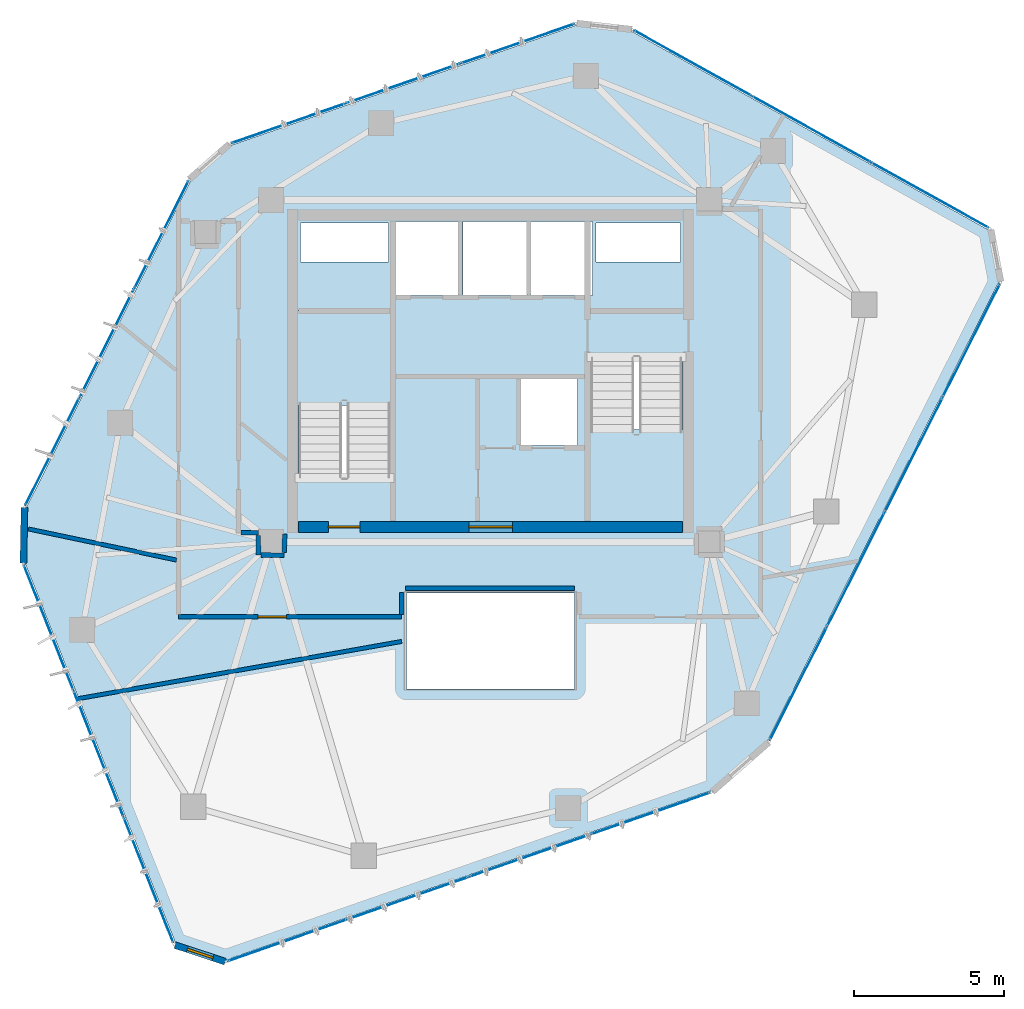
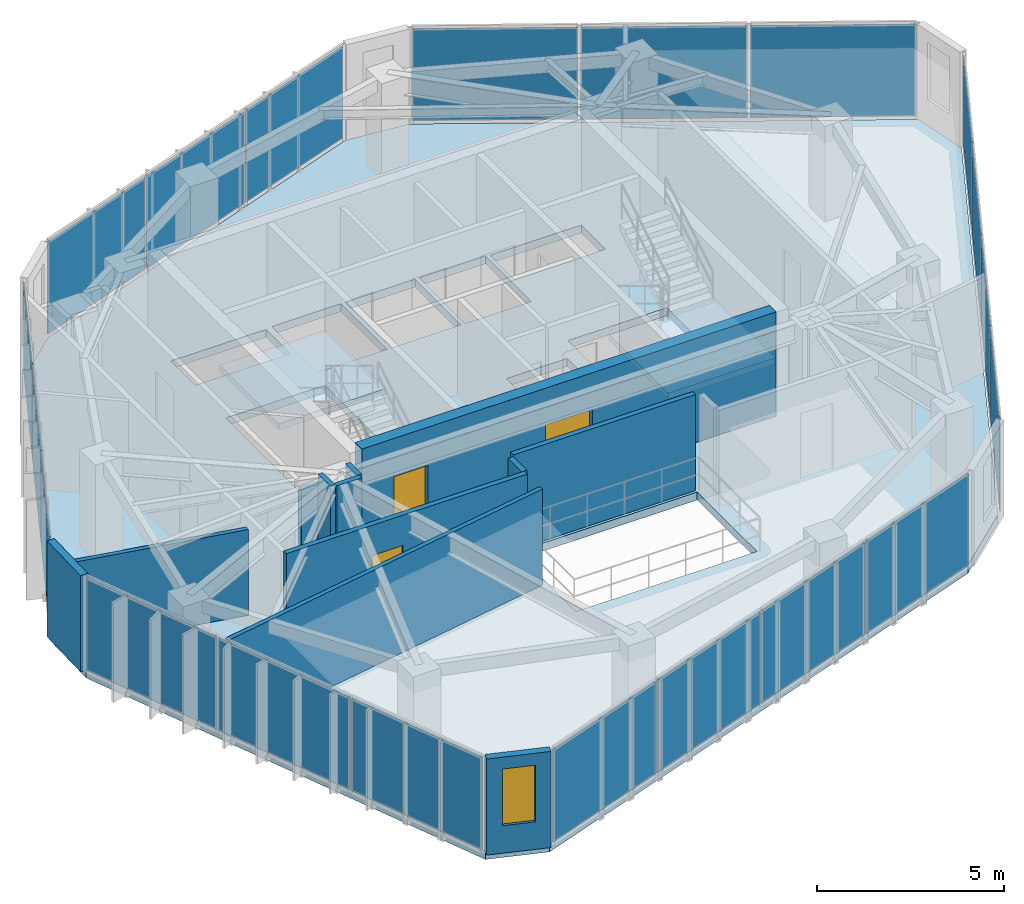
# One storey, part 16 of 20: 20 plates, 12 walls, 3 doors, 3 slabs, 1 window, 4 openings, 8 elements without a shape of their own.
"""IFC4 building model written with IfcOpenShell, lengths in metres."""

from ifc_helpers import new_model, si_unit, direction, frame, frame_2d, origin, origin_2d, place, context, subcontext, project, spatial, polyline, rectangle, outline, extrude, source, transform, mapped, material, layer, layer_set, type_object, type_shapes, element, fill, aggregate, save


model = new_model("IFC4")

# Units and contexts
model_context = context("Model", 3, precision=1e-05, world=origin(), true_north=direction((0.0, 1.0)))
body_context = subcontext(model_context, "Body", "Model", "MODEL_VIEW")
ifc_project = project(units=[si_unit("LENGTHUNIT", "METRE"), si_unit("AREAUNIT", "SQUARE_METRE"), si_unit("VOLUMEUNIT", "CUBIC_METRE"), si_unit("PLANEANGLEUNIT", "RADIAN"), si_unit("MASSUNIT", "GRAM", prefix="KILO")], contexts=[model_context])

# Site, building, storey
site_placement = place(None, origin())
site = spatial("IfcSite", under=ifc_project, at=site_placement, CompositionType="ELEMENT")
building_placement = place(site_placement, origin())
building = spatial("IfcBuilding", under=site, at=building_placement, Name="Talar Marvaseh", CompositionType="ELEMENT")
storey_placement = place(building_placement, frame((0.0, 0.0, 285.0)))
storey = spatial("IfcBuildingStorey", under=building, at=storey_placement, Name="L76", CompositionType="ELEMENT", Elevation=285.0)

# Stair, slab
ifc_material_1 = material(Name="Concrete C40/50", Category="concrete")
stair_type = type_object("IfcStairType", Name="Reinforced Concrete High-Rise Exit Stair Type C", PredefinedType="HALF_TURN_STAIR", material=ifc_material_1)
stair_1_placement = place(storey_placement, origin())
stair_1 = element("IfcStair", 1, at=stair_1_placement, inside=storey, type_object=stair_type, Name="L76 Tower West Core Exit Stair", PredefinedType="HALF_TURN_STAIR")
ifc_layer_1 = layer(ifc_material_1, 0.199951171875)
ifc_layer_set_1 = layer_set([ifc_layer_1], Name="Concrete C40/50")
slab_type_1 = type_object("IfcSlabType", Name="Reinforced Concrete Stair Half-Landing Slab 200", PredefinedType="LANDING", material=ifc_layer_set_1)
slab_1_placement = place(storey_placement, frame((0.0, 0.0, 1.5)))
slab_1 = element("IfcSlab", 2, at=slab_1_placement, type_object=slab_type_1, Name="ST-1 landing 1", PredefinedType="LANDING", context=body_context, shape_type="SweptSolid", body=[
    extrude(outline(polyline([(22.780029296875, 30.050048828125), (22.780029296875, 33.219970703125), (19.47998046875, 33.219970703125), (19.47998046875, 30.050048828125), (22.780029296875, 30.050048828125)])), origin(), (0.0, 0.0, 1.0), 0.199951171875),
])
aggregate(stair_1, [slab_1])

stair_2_placement = place(storey_placement, origin())
stair_2 = element("IfcStair", 3, at=stair_2_placement, inside=storey, type_object=stair_type, Name="L76 Tower East Core Exit Stair", PredefinedType="HALF_TURN_STAIR")
slab_2_placement = place(storey_placement, frame((0.0, 0.0, 1.5)))
slab_2 = element("IfcSlab", 4, at=slab_2_placement, type_object=slab_type_1, Name="ST-2 landing 1", PredefinedType="LANDING", context=body_context, shape_type="SweptSolid", body=[
    extrude(outline(polyline([(29.219970703125, 29.25), (29.219970703125, 26.080078125), (32.52001953125, 26.080078125), (32.52001953125, 29.25), (29.219970703125, 29.25)])), origin(), (0.0, 0.0, 1.0), 0.199951171875),
])
aggregate(stair_2, [slab_2])

# Slab
ifc_layer_2 = layer(ifc_material_1, 0.260009765625)
ifc_layer_set_2 = layer_set([ifc_layer_2], Name="Concrete C40/50")
slab_type_2 = type_object("IfcSlabType", Name="Structural Suspended Floor Slab 260", PredefinedType="FLOOR", material=ifc_layer_set_2)
slab_3_placement = place(storey_placement, frame((0.0, 0.0, -0.260009765625)))
element("IfcSlab", 5, at=slab_3_placement, inside=storey, type_object=slab_type_2, Name="L76 Tower Floor Slab", PredefinedType="FLOOR", context=body_context, shape_type="SweptSolid", body=[
    extrude(outline(polyline([(17.1728515625, 11.556396484375), (15.504150390625, 12.109130859375), (10.485595703125, 24.786865234375), (10.522216796875, 26.642822265625), (16.0029296875, 37.549072265625), (17.341796875, 38.72314453125), (28.8701171875, 42.733642578125), (30.715087890625, 42.527587890625), (42.629150390625, 35.897216796875), (42.959228515625, 34.17041015625), (35.239990234375, 18.861572265625), (33.3583984375, 17.211669921875), (17.1728515625, 11.556396484375)]), holes=[polyline([(22.659912109375, 27.64990234375), (22.659912109375, 33.10009765625), (19.60009765625, 33.10009765625), (19.60009765625, 27.64990234375), (22.659912109375, 27.64990234375)]), polyline([(29.340087890625, 31.64990234375), (29.340087890625, 26.199951171875), (32.39990234375, 26.199951171875), (32.39990234375, 31.64990234375), (29.340087890625, 31.64990234375)]), polyline([(22.800048828125, 33.719970703125), (24.93994140625, 33.719970703125), (24.93994140625, 36.179931640625), (22.800048828125, 36.179931640625), (22.800048828125, 33.719970703125)]), polyline([(25.080078125, 33.719970703125), (27.219970703125, 33.719970703125), (27.219970703125, 36.179931640625), (25.080078125, 36.179931640625), (25.080078125, 33.719970703125)]), polyline([(27.360107421875, 33.719970703125), (29.39990234375, 33.719970703125), (29.39990234375, 36.179931640625), (27.360107421875, 36.179931640625), (27.360107421875, 33.719970703125)]), polyline([(27.02001953125, 28.719970703125), (28.89990234375, 28.719970703125), (28.89990234375, 30.93994140625), (27.02001953125, 30.93994140625), (27.02001953125, 28.719970703125)]), polyline([(19.659912109375, 34.840087890625), (22.60009765625, 34.840087890625), (22.60009765625, 36.139892578125), (19.659912109375, 36.139892578125), (19.659912109375, 34.840087890625)]), polyline([(29.52001953125, 34.840087890625), (32.340087890625, 34.840087890625), (32.340087890625, 36.139892578125), (29.52001953125, 36.139892578125), (29.52001953125, 34.840087890625)]), polyline([(23.199951171875, 20.60009765625), (28.800048828125, 20.60009765625), (28.800048828125, 23.800048828125), (23.199951171875, 23.800048828125), (23.199951171875, 20.60009765625)])]), origin(), (0.0, 0.0, 1.0), 0.260009765625),
])

# Curtain wall, plates
ifc_material_2 = material(Name="Architectural Aluminium", Category="aluminium")
ifc_layer_3 = layer(ifc_material_2, 0.179931640625)
ifc_layer_set_3 = layer_set([ifc_layer_3], Name="Architectural Aluminium")
curtain_wall_type = type_object("IfcCurtainWallType", Name="Unitised High-Wind Sky Curtain Wall Z4", PredefinedType="NOTDEFINED", material=ifc_layer_set_3)
curtain_wall_1_placement = place(storey_placement, origin())
curtain_wall_1 = element("IfcCurtainWall", 6, at=curtain_wall_1_placement, inside=storey, type_object=curtain_wall_type, Name="L76 Unitised High-Wind Sky Curtain Wall Z4", PredefinedType="NOTDEFINED")
ifc_material_3 = material(Name="Laminated Low-E Solar Glass", Category="glass")
ifc_layer_4 = layer(ifc_material_3, 0.028076171875)
ifc_layer_set_4 = layer_set([ifc_layer_4], Name="Laminated Low-E Solar Glass")
plate_type = type_object("IfcPlateType", Name="Double-Glazed Low-E Vision Curtain Panel 28", PredefinedType="CURTAIN_PANEL", material=ifc_layer_set_4)
shared_shape_1 = source(origin(), body_context, "Body", "SweptSolid", [
    extrude(rectangle(XDim=4.447509765625, YDim=0.028076171875, at=origin_2d()), origin(), (0.0, 0.0, 1.0), 3.010009765625),
])
plate_1_placement = place(storey_placement, frame((14.60595703125, 14.215087890625, 0.06494140625), z_axis=(0.0, 0.0, 1.0), x_axis=(-0.368060075635, 0.929802011572, 0.0)))
plate_1 = element("IfcPlate", 7, at=plate_1_placement, type_object=plate_type, Name="CW-Z4 panel 1.1", PredefinedType="CURTAIN_PANEL", context=body_context, shape_type="MappedRepresentation", body=[
    mapped(shared_shape_1, transform((0.0, 0.0, 0.0), x_axis=(1.0, 0.0, 0.0), y_axis=(0.0, 1.0, 0.0), z_axis=(0.0, 0.0, 1.0), scale=1.0)),
])
plate_2_placement = place(storey_placement, frame((11.272216796875, 22.63671875, 0.06494140625), z_axis=(0.0, 0.0, 1.0), x_axis=(-0.368060075635, 0.929802011572, 0.0)))
plate_2 = element("IfcPlate", 8, at=plate_2_placement, type_object=plate_type, Name="CW-Z4 panel 3.1", PredefinedType="CURTAIN_PANEL", context=body_context, shape_type="MappedRepresentation", body=[
    mapped(shared_shape_1, transform((0.0, 0.0, 0.0), x_axis=(1.0, 0.0, 0.0), y_axis=(0.0, 1.0, 0.0), z_axis=(0.0, 0.0, 1.0), scale=1.0)),
])

curtain_wall_2_placement = place(storey_placement, origin())
curtain_wall_2 = element("IfcCurtainWall", 9, at=curtain_wall_2_placement, inside=storey, type_object=curtain_wall_type, Name="L76 Unitised High-Wind Sky Curtain Wall Z4", PredefinedType="NOTDEFINED")
plate_3_placement = place(storey_placement, frame((32.744140625, 41.467041015625, 0.06494140625), z_axis=(0.0, 0.0, 1.0), x_axis=(0.873803480843, -0.486279216981, 0.0)))
plate_3 = element("IfcPlate", 10, at=plate_3_placement, type_object=plate_type, Name="CW-Z4 panel 1.1", PredefinedType="CURTAIN_PANEL", context=body_context, shape_type="MappedRepresentation", body=[
    mapped(shared_shape_1, transform((0.0, 0.0, 0.0), x_axis=(1.0, 0.0, 0.0), y_axis=(0.0, 1.0, 0.0), z_axis=(0.0, 0.0, 1.0), scale=1.0)),
])
plate_4_placement = place(storey_placement, frame((40.658447265625, 37.0625, 0.06494140625), z_axis=(0.0, 0.0, 1.0), x_axis=(0.873803480843, -0.486279216981, 0.0)))
plate_4 = element("IfcPlate", 11, at=plate_4_placement, type_object=plate_type, Name="CW-Z4 panel 3.1", PredefinedType="CURTAIN_PANEL", context=body_context, shape_type="MappedRepresentation", body=[
    mapped(shared_shape_1, transform((0.0, 0.0, 0.0), x_axis=(1.0, 0.0, 0.0), y_axis=(0.0, 1.0, 0.0), z_axis=(0.0, 0.0, 1.0), scale=1.0)),
])

# Plate
shared_shape_2 = source(origin(), body_context, "Body", "SweptSolid", [
    extrude(rectangle(XDim=4.47998046875, YDim=0.028076171875, at=origin_2d()), origin(), (0.0, 0.0, 1.0), 3.010009765625),
])
plate_5_placement = place(storey_placement, frame((12.939208984375, 18.42578125, 0.06494140625), z_axis=(0.0, 0.0, 1.0), x_axis=(-0.368060075635, 0.929802011572, 0.0)))
plate_5 = element("IfcPlate", 12, at=plate_5_placement, type_object=plate_type, Name="CW-Z4 panel 2.1", PredefinedType="CURTAIN_PANEL", context=body_context, shape_type="MappedRepresentation", body=[
    mapped(shared_shape_2, transform((0.0, 0.0, 0.0), x_axis=(1.0, 0.0, 0.0), y_axis=(0.0, 1.0, 0.0), z_axis=(0.0, 0.0, 1.0), scale=1.0)),
])

aggregate(curtain_wall_1, [plate_1, plate_5, plate_2])

plate_6_placement = place(storey_placement, frame((36.701171875, 39.2646484375, 0.06494140625), z_axis=(0.0, 0.0, 1.0), x_axis=(0.873803480843, -0.486279216981, 0.0)))
plate_6 = element("IfcPlate", 13, at=plate_6_placement, type_object=plate_type, Name="CW-Z4 panel 2.1", PredefinedType="CURTAIN_PANEL", context=body_context, shape_type="MappedRepresentation", body=[
    mapped(shared_shape_2, transform((0.0, 0.0, 0.0), x_axis=(1.0, 0.0, 0.0), y_axis=(0.0, 1.0, 0.0), z_axis=(0.0, 0.0, 1.0), scale=1.0)),
])

aggregate(curtain_wall_2, [plate_3, plate_6, plate_4])

# Curtain wall, plates
curtain_wall_3_placement = place(storey_placement, origin())
curtain_wall_3 = element("IfcCurtainWall", 14, at=curtain_wall_3_placement, inside=storey, type_object=curtain_wall_type, Name="L76 Unitised High-Wind Sky Curtain Wall Z4", PredefinedType="NOTDEFINED")
shared_shape_3 = source(origin(), body_context, "Body", "SweptSolid", [
    extrude(rectangle(XDim=3.97119140625, YDim=0.028076171875, at=origin_2d()), origin(), (0.0, 0.0, 1.0), 3.010009765625),
])
plate_7_placement = place(storey_placement, frame((11.38916015625, 28.501953125, 0.06494140625), z_axis=(0.0, 0.0, 1.0), x_axis=(0.449034728226, 0.893514304781, 0.0)))
plate_7 = element("IfcPlate", 15, at=plate_7_placement, type_object=plate_type, Name="CW-Z4 panel 1.1", PredefinedType="CURTAIN_PANEL", context=body_context, shape_type="MappedRepresentation", body=[
    mapped(shared_shape_3, transform((0.0, 0.0, 0.0), x_axis=(1.0, 0.0, 0.0), y_axis=(0.0, 1.0, 0.0), z_axis=(0.0, 0.0, 1.0), scale=1.0)),
])
plate_8_placement = place(storey_placement, frame((15.028564453125, 35.743896484375, 0.06494140625), z_axis=(0.0, 0.0, 1.0), x_axis=(0.449034728226, 0.893514304781, 0.0)))
plate_8 = element("IfcPlate", 16, at=plate_8_placement, type_object=plate_type, Name="CW-Z4 panel 3.1", PredefinedType="CURTAIN_PANEL", context=body_context, shape_type="MappedRepresentation", body=[
    mapped(shared_shape_3, transform((0.0, 0.0, 0.0), x_axis=(1.0, 0.0, 0.0), y_axis=(0.0, 1.0, 0.0), z_axis=(0.0, 0.0, 1.0), scale=1.0)),
])

curtain_wall_4_placement = place(storey_placement, origin())
curtain_wall_4 = element("IfcCurtainWall", 17, at=curtain_wall_4_placement, inside=storey, type_object=curtain_wall_type, Name="L76 Unitised High-Wind Sky Curtain Wall Z4", PredefinedType="NOTDEFINED")
plate_9_placement = place(storey_placement, frame((19.2587890625, 39.45361328125, 0.06494140625), z_axis=(0.0, 0.0, 1.0), x_axis=(0.944480106126, 0.328568606431, 0.0)))
plate_9 = element("IfcPlate", 18, at=plate_9_placement, type_object=plate_type, Name="CW-Z4 panel 1.1", PredefinedType="CURTAIN_PANEL", context=body_context, shape_type="MappedRepresentation", body=[
    mapped(shared_shape_3, transform((0.0, 0.0, 0.0), x_axis=(1.0, 0.0, 0.0), y_axis=(0.0, 1.0, 0.0), z_axis=(0.0, 0.0, 1.0), scale=1.0)),
])
plate_10_placement = place(storey_placement, frame((26.91357421875, 42.116455078125, 0.06494140625), z_axis=(0.0, 0.0, 1.0), x_axis=(0.944480106126, 0.328568606431, 0.0)))
plate_10 = element("IfcPlate", 19, at=plate_10_placement, type_object=plate_type, Name="CW-Z4 panel 3.1", PredefinedType="CURTAIN_PANEL", context=body_context, shape_type="MappedRepresentation", body=[
    mapped(shared_shape_3, transform((0.0, 0.0, 0.0), x_axis=(1.0, 0.0, 0.0), y_axis=(0.0, 1.0, 0.0), z_axis=(0.0, 0.0, 1.0), scale=1.0)),
])

# Plate
shared_shape_4 = source(origin(), body_context, "Body", "SweptSolid", [
    extrude(rectangle(XDim=4.003662109375, YDim=0.028076171875, at=origin_2d()), origin(), (0.0, 0.0, 1.0), 3.010009765625),
])
plate_11_placement = place(storey_placement, frame((13.208984375, 32.122802734375, 0.06494140625), z_axis=(0.0, 0.0, 1.0), x_axis=(0.449034728226, 0.893514304781, 0.0)))
plate_11 = element("IfcPlate", 20, at=plate_11_placement, type_object=plate_type, Name="CW-Z4 panel 2.1", PredefinedType="CURTAIN_PANEL", context=body_context, shape_type="MappedRepresentation", body=[
    mapped(shared_shape_4, transform((0.0, 0.0, 0.0), x_axis=(1.0, 0.0, 0.0), y_axis=(0.0, 1.0, 0.0), z_axis=(0.0, 0.0, 1.0), scale=1.0)),
])

aggregate(curtain_wall_3, [plate_7, plate_11, plate_8])

plate_12_placement = place(storey_placement, frame((23.086181640625, 40.78515625, 0.06494140625), z_axis=(0.0, 0.0, 1.0), x_axis=(0.944480106126, 0.328568606431, 0.0)))
plate_12 = element("IfcPlate", 21, at=plate_12_placement, type_object=plate_type, Name="CW-Z4 panel 2.1", PredefinedType="CURTAIN_PANEL", context=body_context, shape_type="MappedRepresentation", body=[
    mapped(shared_shape_4, transform((0.0, 0.0, 0.0), x_axis=(1.0, 0.0, 0.0), y_axis=(0.0, 1.0, 0.0), z_axis=(0.0, 0.0, 1.0), scale=1.0)),
])

aggregate(curtain_wall_4, [plate_9, plate_12, plate_10])

# Curtain wall, plates
curtain_wall_5_placement = place(storey_placement, origin())
curtain_wall_5 = element("IfcCurtainWall", 22, at=curtain_wall_5_placement, inside=storey, type_object=curtain_wall_type, Name="L76 Unitised High-Wind Sky Curtain Wall Z4", PredefinedType="NOTDEFINED")
shared_shape_5 = source(origin(), body_context, "Body", "SweptSolid", [
    extrude(rectangle(XDim=4.188720703125, YDim=0.028076171875, at=origin_2d()), origin(), (0.0, 0.0, 1.0), 3.010009765625),
])
plate_13_placement = place(storey_placement, frame((42.04052734375, 32.21533203125, 0.06494140625), z_axis=(0.0, 0.0, 1.0), x_axis=(-0.450236996494, -0.89290909223, 0.0)))
plate_13 = element("IfcPlate", 23, at=plate_13_placement, type_object=plate_type, Name="CW-Z4 panel 1.1", PredefinedType="CURTAIN_PANEL", context=body_context, shape_type="MappedRepresentation", body=[
    mapped(shared_shape_5, transform((0.0, 0.0, 0.0), x_axis=(1.0, 0.0, 0.0), y_axis=(0.0, 1.0, 0.0), z_axis=(0.0, 0.0, 1.0), scale=1.0)),
])
plate_14_placement = place(storey_placement, frame((36.265625, 20.7626953125, 0.06494140625), z_axis=(0.0, 0.0, 1.0), x_axis=(-0.450236996494, -0.89290909223, 0.0)))
plate_14 = element("IfcPlate", 24, at=plate_14_placement, type_object=plate_type, Name="CW-Z4 panel 4.1", PredefinedType="CURTAIN_PANEL", context=body_context, shape_type="MappedRepresentation", body=[
    mapped(shared_shape_5, transform((0.0, 0.0, 0.0), x_axis=(1.0, 0.0, 0.0), y_axis=(0.0, 1.0, 0.0), z_axis=(0.0, 0.0, 1.0), scale=1.0)),
])

curtain_wall_6_placement = place(storey_placement, origin())
curtain_wall_6 = element("IfcCurtainWall", 25, at=curtain_wall_6_placement, inside=storey, type_object=curtain_wall_type, Name="L76 Unitised High-Wind Sky Curtain Wall Z4", PredefinedType="NOTDEFINED")
plate_15_placement = place(storey_placement, frame((31.33984375, 16.44287109375, 0.06494140625), z_axis=(0.0, 0.0, 1.0), x_axis=(-0.94403753333, -0.329838044597, 0.0)))
plate_15 = element("IfcPlate", 26, at=plate_15_placement, type_object=plate_type, Name="CW-Z4 panel 1.1", PredefinedType="CURTAIN_PANEL", context=body_context, shape_type="MappedRepresentation", body=[
    mapped(shared_shape_5, transform((0.0, 0.0, 0.0), x_axis=(1.0, 0.0, 0.0), y_axis=(0.0, 1.0, 0.0), z_axis=(0.0, 0.0, 1.0), scale=1.0)),
])
plate_16_placement = place(storey_placement, frame((19.231201171875, 12.212158203125, 0.06494140625), z_axis=(0.0, 0.0, 1.0), x_axis=(-0.94403753333, -0.329838044597, 0.0)))
plate_16 = element("IfcPlate", 27, at=plate_16_placement, type_object=plate_type, Name="CW-Z4 panel 4.1", PredefinedType="CURTAIN_PANEL", context=body_context, shape_type="MappedRepresentation", body=[
    mapped(shared_shape_5, transform((0.0, 0.0, 0.0), x_axis=(1.0, 0.0, 0.0), y_axis=(0.0, 1.0, 0.0), z_axis=(0.0, 0.0, 1.0), scale=1.0)),
])

# Plate
shared_shape_6 = source(origin(), body_context, "Body", "SweptSolid", [
    extrude(rectangle(XDim=4.22119140625, YDim=0.028076171875, at=origin_2d()), origin(), (0.0, 0.0, 1.0), 3.010009765625),
])
type_shapes(plate_type, [shared_shape_1, shared_shape_2, shared_shape_3, shared_shape_4, shared_shape_5, shared_shape_6])
plate_17_placement = place(storey_placement, frame((40.1181640625, 28.402587890625, 0.06494140625), z_axis=(0.0, 0.0, 1.0), x_axis=(-0.450236996494, -0.89290909223, 0.0)))
plate_17 = element("IfcPlate", 28, at=plate_17_placement, type_object=plate_type, Name="CW-Z4 panel 2.1", PredefinedType="CURTAIN_PANEL", context=body_context, shape_type="MappedRepresentation", body=[
    mapped(shared_shape_6, transform((0.0, 0.0, 0.0), x_axis=(1.0, 0.0, 0.0), y_axis=(0.0, 1.0, 0.0), z_axis=(0.0, 0.0, 1.0), scale=1.0)),
])

plate_18_placement = place(storey_placement, frame((38.188232421875, 24.575439453125, 0.06494140625), z_axis=(0.0, 0.0, 1.0), x_axis=(-0.450236996494, -0.89290909223, 0.0)))
plate_18 = element("IfcPlate", 29, at=plate_18_placement, type_object=plate_type, Name="CW-Z4 panel 3.1", PredefinedType="CURTAIN_PANEL", context=body_context, shape_type="MappedRepresentation", body=[
    mapped(shared_shape_6, transform((0.0, 0.0, 0.0), x_axis=(1.0, 0.0, 0.0), y_axis=(0.0, 1.0, 0.0), z_axis=(0.0, 0.0, 1.0), scale=1.0)),
])

aggregate(curtain_wall_5, [plate_13, plate_17, plate_18, plate_14])

plate_19_placement = place(storey_placement, frame((27.30859375, 15.034423828125, 0.06494140625), z_axis=(0.0, 0.0, 1.0), x_axis=(-0.94403753333, -0.329838044597, 0.0)))
plate_19 = element("IfcPlate", 30, at=plate_19_placement, type_object=plate_type, Name="CW-Z4 panel 2.1", PredefinedType="CURTAIN_PANEL", context=body_context, shape_type="MappedRepresentation", body=[
    mapped(shared_shape_6, transform((0.0, 0.0, 0.0), x_axis=(1.0, 0.0, 0.0), y_axis=(0.0, 1.0, 0.0), z_axis=(0.0, 0.0, 1.0), scale=1.0)),
])

plate_20_placement = place(storey_placement, frame((23.26220703125, 13.62060546875, 0.06494140625), z_axis=(0.0, 0.0, 1.0), x_axis=(-0.94403753333, -0.329838044597, 0.0)))
plate_20 = element("IfcPlate", 31, at=plate_20_placement, type_object=plate_type, Name="CW-Z4 panel 3.1", PredefinedType="CURTAIN_PANEL", context=body_context, shape_type="MappedRepresentation", body=[
    mapped(shared_shape_6, transform((0.0, 0.0, 0.0), x_axis=(1.0, 0.0, 0.0), y_axis=(0.0, 1.0, 0.0), z_axis=(0.0, 0.0, 1.0), scale=1.0)),
])

aggregate(curtain_wall_6, [plate_15, plate_19, plate_20, plate_16])

# Wall, opening, window
ifc_material_4 = material(Name="Precast concrete C45/55", Category="concrete")
ifc_layer_5 = layer(ifc_material_4, 0.22509765625)
ifc_layer_set_5 = layer_set([ifc_layer_5], Name="Precast concrete C45/55")
wall_type_1 = type_object("IfcWallType", Name="Chamfered Hexagonal Corner Pier Wall Z4 225", PredefinedType="SOLIDWALL", material=ifc_layer_set_5)
wall_1_placement = place(storey_placement, frame((17.154052734375, 11.49951171875, 0.0), z_axis=(0.0, 0.0, 1.0), x_axis=(-0.949292540493, 0.314394135704, 0.0)))
wall_1 = element("IfcWall", 32, at=wall_1_placement, inside=storey, type_object=wall_type_1, Name="L76 Chamfered Corner Limestone Pier 1", PredefinedType="SOLIDWALL", context=body_context, shape_type="SweptSolid", body=[
    extrude(rectangle(XDim=1.758056640625, YDim=0.22509765625, at=frame_2d((0.87890625, 0.0))), origin(), (0.0, 0.0, 1.0), 3.139892578125),
])
opening_1_placement = place(wall_1_placement, frame((0.428955078125, 0.0, 0.89990234375)))
opening_1 = element("IfcOpeningElement", 33, at=opening_1_placement, cuts=wall_1, Name="Opening WN-CHM09", PredefinedType="OPENING", context=body_context, shape_type="SweptSolid", body=[
    extrude(rectangle(XDim=0.89990234375, YDim=1.85009765625, at=frame_2d((0.449951171875, 0.925048828125))), frame((0.0, 0.12255859375, 0.0), z_axis=(0.0, -1.0, 0.0), x_axis=(1.0, 0.0, 0.0)), (0.0, 0.0, 1.0), 0.2451171875),
])
window_type = type_object("IfcWindowType", Name="Zone 4 Chamfered Corner Slot Window 900x1850", PartitioningType="SINGLE_PANEL", PredefinedType="WINDOW", material=ifc_material_3)
shared_shape_7 = source(origin(), body_context, "Body", "SweptSolid", [
    extrude(rectangle(XDim=0.89990234375, YDim=1.85009765625, at=frame_2d((0.449951171875, 0.925048828125))), frame((0.0, 0.030029296875, 0.0), z_axis=(0.0, -1.0, 0.0), x_axis=(1.0, 0.0, 0.0)), (0.0, 0.0, 1.0), 0.06005859375),
])
type_shapes(window_type, [shared_shape_7])
window_placement = place(opening_1_placement, origin())
window = element("IfcWindow", 34, at=window_placement, inside=storey, type_object=window_type, Name="L76 Chamfered Corner Slot Window", OverallHeight=1.85009765625, OverallWidth=0.89990234375, PartitioningType="SINGLE_PANEL", PredefinedType="WINDOW", context=body_context, shape_type="MappedRepresentation", body=[
    mapped(shared_shape_7, transform((0.0, 0.0, 0.0), x_axis=(1.0, 0.0, 0.0), y_axis=(0.0, 1.0, 0.0), z_axis=(0.0, 0.0, 1.0), scale=1.0)),
])
fill(opening_1, window)

# Wall
wall_2_placement = place(storey_placement, frame((10.42578125, 24.7880859375, 0.0), z_axis=(0.0, 0.0, 1.0), x_axis=(0.019596341491, 0.999807973263, 0.0)))
element("IfcWall", 35, at=wall_2_placement, inside=storey, type_object=wall_type_1, Name="L76 Chamfered Corner Limestone Pier 2", PredefinedType="SOLIDWALL", context=body_context, shape_type="SweptSolid", body=[
    extrude(rectangle(XDim=1.856201171875, YDim=0.22509765625, at=frame_2d((0.92822265625, 0.0))), origin(), (0.0, 0.0, 1.0), 3.139892578125),
])

# Wall, opening, door
ifc_material_5 = material(Name="Gypsum Board Partition Assembly")
ifc_layer_6 = layer(ifc_material_5, 0.155029296875)
ifc_layer_set_6 = layer_set([ifc_layer_6], Name="Gypsum Board Partition Assembly")
wall_type_2 = type_object("IfcWallType", Name="Corridor Fire-Rated Acoustic Partition 155", PredefinedType="PARTITIONING", material=ifc_layer_set_6)
wall_3_placement = place(storey_placement, frame((23.0400390625, 23.0, 0.0), z_axis=(0.0, 0.0, 1.0), x_axis=(-1.0, 0.0, 0.0)))
wall_3 = element("IfcWall", 36, at=wall_3_placement, inside=storey, type_object=wall_type_2, Name="L76 Interior Partition Wall", PredefinedType="PARTITIONING", context=body_context, shape_type="SweptSolid", body=[
    extrude(rectangle(XDim=7.43994140625, YDim=0.155029296875, at=frame_2d((3.719970703125, 0.0))), origin(), (0.0, 0.0, 1.0), 3.139892578125),
])
opening_2_placement = place(wall_3_placement, frame((3.840087890625, 0.0, 0.0)))
opening_2 = element("IfcOpeningElement", 37, at=opening_2_placement, cuts=wall_3, Name="Opening DR-WC095", PredefinedType="OPENING", context=body_context, shape_type="SweptSolid", body=[
    extrude(rectangle(XDim=0.949951171875, YDim=2.14990234375, at=frame_2d((0.47509765625, 1.074951171875))), frame((0.0, 0.08740234375, 0.0), z_axis=(0.0, -1.0, 0.0), x_axis=(1.0, 0.0, 0.0)), (0.0, 0.0, 1.0), 0.175048828125),
])
ifc_material_6 = material(Name="Acoustic Engineered Oak Timber", Category="wood")
door_type_1 = type_object("IfcDoorType", Name="Washroom and Service Room Door 950x2150", OperationType="NOTDEFINED", PredefinedType="DOOR", material=ifc_material_6)
shared_shape_8 = source(origin(), body_context, "Body", "SweptSolid", [
    extrude(rectangle(XDim=0.949951171875, YDim=2.14990234375, at=frame_2d((0.47509765625, 1.074951171875))), frame((0.0, 0.02490234375, 0.0), z_axis=(0.0, -1.0, 0.0), x_axis=(1.0, 0.0, 0.0)), (0.0, 0.0, 1.0), 0.050048828125),
])
type_shapes(door_type_1, [shared_shape_8])
door_1_placement = place(opening_2_placement, origin())
door_1 = element("IfcDoor", 38, at=door_1_placement, inside=storey, type_object=door_type_1, Name="L76 Rare Books Archive Room Door", OperationType="SINGLE_SWING_RIGHT", OverallHeight=2.14990234375, OverallWidth=0.949951171875, PredefinedType="DOOR", context=body_context, shape_type="MappedRepresentation", body=[
    mapped(shared_shape_8, transform((0.0, 0.0, 0.0), x_axis=(1.0, 0.0, 0.0), y_axis=(0.0, 1.0, 0.0), z_axis=(0.0, 0.0, 1.0), scale=1.0)),
])
fill(opening_2, door_1)

# Walls
wall_4_placement = place(storey_placement, frame((17.68359375, 25.800048828125, 0.0), z_axis=(0.0, 0.0, 1.0), x_axis=(1.0, 0.0, 0.0)))
element("IfcWall", 39, at=wall_4_placement, inside=storey, type_object=wall_type_2, Name="L76 Interior Partition Wall", PredefinedType="PARTITIONING", context=body_context, shape_type="SweptSolid", body=[
    extrude(rectangle(XDim=0.576416015625, YDim=0.155029296875, at=frame_2d((0.2880859375, 0.0))), origin(), (0.0, 0.0, 1.0), 2.802001953125),
])
wall_5_placement = place(storey_placement, frame((18.260986328125, 25.716552734375, 0.0), z_axis=(0.0, 0.0, 1.0), x_axis=(0.010439401276, -0.999945507966, 0.0)))
element("IfcWall", 40, at=wall_5_placement, inside=storey, type_object=wall_type_2, Name="L76 Interior Partition Wall", PredefinedType="PARTITIONING", context=body_context, shape_type="SweptSolid", body=[
    extrude(rectangle(XDim=0.65478515625, YDim=0.155029296875, at=frame_2d((0.327392578125, 0.0))), origin(), (0.0, 0.0, 1.0), 3.139892578125),
])
wall_6_placement = place(storey_placement, frame((18.351318359375, 25.0615234375, 0.0), z_axis=(0.0, 0.0, 1.0), x_axis=(0.999998207633, -0.001893338355, 0.0)))
element("IfcWall", 41, at=wall_6_placement, inside=storey, type_object=wall_type_2, Name="L76 Interior Partition Wall", PredefinedType="PARTITIONING", context=body_context, shape_type="SweptSolid", body=[
    extrude(rectangle(XDim=0.773681640625, YDim=0.155029296875, at=frame_2d((0.38671875, 0.0))), origin(), (0.0, 0.0, 1.0), 3.139892578125),
])
wall_7_placement = place(storey_placement, frame((19.126708984375, 25.1435546875, 0.0), z_axis=(0.0, 0.0, 1.0), x_axis=(0.021238324089, 0.999774441357, 0.0)))
element("IfcWall", 42, at=wall_7_placement, inside=storey, type_object=wall_type_2, Name="L76 Interior Partition Wall", PredefinedType="PARTITIONING", context=body_context, shape_type="SweptSolid", body=[
    extrude(rectangle(XDim=0.620849609375, YDim=0.155029296875, at=frame_2d((0.310546875, 0.0))), origin(), (0.0, 0.0, 1.0), 3.139892578125),
])
wall_8_placement = place(storey_placement, frame((28.800048828125, 23.9599609375, 0.0), z_axis=(0.0, 0.0, 1.0), x_axis=(-0.999999841177, -0.000563600015, 0.0)))
element("IfcWall", 43, at=wall_8_placement, inside=storey, type_object=wall_type_2, Name="L76 Interior Partition Wall", PredefinedType="PARTITIONING", context=body_context, shape_type="SweptSolid", body=[
    extrude(rectangle(XDim=5.63134765625, YDim=0.155029296875, at=frame_2d((2.815673828125, 0.0))), origin(), (0.0, 0.0, 1.0), 3.139892578125),
])
wall_9_placement = place(storey_placement, frame((23.040771484375, 23.815673828125, 0.0), z_axis=(0.0, 0.0, 1.0), x_axis=(-0.001000332944, -0.999999499667, 0.0)))
element("IfcWall", 44, at=wall_9_placement, inside=storey, type_object=wall_type_2, Name="L76 Interior Partition Wall", PredefinedType="PARTITIONING", context=body_context, shape_type="SweptSolid", body=[
    extrude(rectangle(XDim=0.732177734375, YDim=0.155029296875, at=frame_2d((0.3662109375, 0.0))), origin(), (0.0, 0.0, 1.0), 3.139892578125),
])
ifc_layer_7 = layer(ifc_material_5, 0.135009765625)
ifc_layer_set_7 = layer_set([ifc_layer_7], Name="Gypsum Board Partition Assembly")
wall_type_3 = type_object("IfcWallType", Name="Gallery High-Acoustic Partition 135", PredefinedType="PARTITIONING", material=ifc_layer_set_7)
wall_10_placement = place(storey_placement, frame((23.0400390625, 22.179931640625, 0.0), z_axis=(0.0, 0.0, 1.0), x_axis=(-0.984720772144, -0.174140750278, 0.0)))
element("IfcWall", 45, at=wall_10_placement, inside=storey, type_object=wall_type_3, Name="L76 Interior Partition Wall", PredefinedType="PARTITIONING", context=body_context, shape_type="SweptSolid", body=[
    extrude(rectangle(XDim=10.971923828125, YDim=0.135009765625, at=frame_2d((5.48583984375, 0.0))), origin(), (0.0, 0.0, 1.0), 3.139892578125),
])
wall_11_placement = place(storey_placement, frame((10.594970703125, 25.931396484375, 0.0), z_axis=(0.0, 0.0, 1.0), x_axis=(0.978637933828, -0.205591328786, 0.0)))
element("IfcWall", 46, at=wall_11_placement, inside=storey, type_object=wall_type_3, Name="L76 Interior Partition Wall", PredefinedType="PARTITIONING", context=body_context, shape_type="SweptSolid", body=[
    extrude(rectangle(XDim=5.04931640625, YDim=0.135009765625, at=frame_2d((2.524658203125, 0.0))), origin(), (0.0, 0.0, 1.0), 2.802001953125),
])

# Wall, openings, doors
ifc_material_7 = material(Name="Concrete C50/60", Category="concrete")
ifc_layer_8 = layer(ifc_material_7, 0.360107421875)
ifc_layer_set_8 = layer_set([ifc_layer_8], Name="Concrete C50/60")
wall_type_4 = type_object("IfcWallType", Name="Upper Core Reinforced Concrete Shear Wall 360", PredefinedType="SHEAR", material=ifc_layer_set_8)
wall_12_placement = place(storey_placement, frame((32.39990234375, 26.0, 0.0), z_axis=(0.0, 0.0, 1.0), x_axis=(-1.0, 0.0, 0.0)))
wall_12 = element("IfcWall", 47, at=wall_12_placement, inside=storey, type_object=wall_type_4, Name="L76 South Core Shear Wall", PredefinedType="SHEAR", context=body_context, shape_type="SweptSolid", body=[
    extrude(rectangle(XDim=12.7998046875, YDim=0.360107421875, at=frame_2d((6.39990234375, 0.0))), origin(), (0.0, 0.0, 1.0), 3.39990234375),
])
opening_3_placement = place(wall_12_placement, frame((10.75, 0.0, 0.0)))
opening_3 = element("IfcOpeningElement", 48, at=opening_3_placement, cuts=wall_12, Name="Opening DR-ST105", PredefinedType="OPENING", context=body_context, shape_type="SweptSolid", body=[
    extrude(rectangle(XDim=1.050048828125, YDim=2.14990234375, at=frame_2d((0.52490234375, 1.074951171875))), frame((0.0, 0.18994140625, 0.0), z_axis=(0.0, -1.0, 0.0), x_axis=(1.0, 0.0, 0.0)), (0.0, 0.0, 1.0), 0.380126953125),
])
opening_4_placement = place(wall_12_placement, frame((5.669921875, 0.0, 0.0)))
opening_4 = element("IfcOpeningElement", 49, at=opening_4_placement, cuts=wall_12, Name="Opening DR-LBY145", PredefinedType="OPENING", context=body_context, shape_type="SweptSolid", body=[
    extrude(rectangle(XDim=1.449951171875, YDim=2.199951171875, at=frame_2d((0.72509765625, 1.10009765625))), frame((0.0, 0.18994140625, 0.0), z_axis=(0.0, -1.0, 0.0), x_axis=(1.0, 0.0, 0.0)), (0.0, 0.0, 1.0), 0.380126953125),
])
ifc_material_8 = material(Name="Fire-Rated Steel Door Leaf", Category="steel")
door_type_2 = type_object("IfcDoorType", Name="Protected Exit Stair Fire Door 1050x2150", OperationType="NOTDEFINED", PredefinedType="DOOR", material=ifc_material_8)
shared_shape_9 = source(origin(), body_context, "Body", "SweptSolid", [
    extrude(rectangle(XDim=1.050048828125, YDim=2.14990234375, at=frame_2d((0.52490234375, 1.074951171875))), frame((0.0, 0.02490234375, 0.0), z_axis=(0.0, -1.0, 0.0), x_axis=(1.0, 0.0, 0.0)), (0.0, 0.0, 1.0), 0.050048828125),
])
type_shapes(door_type_2, [shared_shape_9])
door_2_placement = place(opening_3_placement, origin())
door_2 = element("IfcDoor", 50, at=door_2_placement, inside=storey, type_object=door_type_2, Name="L76 Stair ST-1 Exit Door", OperationType="SINGLE_SWING_RIGHT", OverallHeight=2.14990234375, OverallWidth=1.050048828125, PredefinedType="DOOR", context=body_context, shape_type="MappedRepresentation", body=[
    mapped(shared_shape_9, transform((0.0, 0.0, 0.0), x_axis=(1.0, 0.0, 0.0), y_axis=(0.0, 1.0, 0.0), z_axis=(0.0, 0.0, 1.0), scale=1.0)),
])
fill(opening_3, door_2)
door_type_3 = type_object("IfcDoorType", Name="Core Lift Lobby Double Smoke Door 1450x2200", OperationType="NOTDEFINED", PredefinedType="DOOR", material=ifc_material_8)
shared_shape_10 = source(origin(), body_context, "Body", "SweptSolid", [
    extrude(rectangle(XDim=1.449951171875, YDim=2.199951171875, at=frame_2d((0.72509765625, 1.10009765625))), frame((0.0, 0.02490234375, 0.0), z_axis=(0.0, -1.0, 0.0), x_axis=(1.0, 0.0, 0.0)), (0.0, 0.0, 1.0), 0.050048828125),
])
type_shapes(door_type_3, [shared_shape_10])
door_3_placement = place(opening_4_placement, origin())
door_3 = element("IfcDoor", 51, at=door_3_placement, inside=storey, type_object=door_type_3, Name="L76 Passenger Lift Lobby Entrance Door", OperationType="DOUBLE_DOOR_SINGLE_SWING", OverallHeight=2.199951171875, OverallWidth=1.449951171875, PredefinedType="DOOR", context=body_context, shape_type="MappedRepresentation", body=[
    mapped(shared_shape_10, transform((0.0, 0.0, 0.0), x_axis=(1.0, 0.0, 0.0), y_axis=(0.0, 1.0, 0.0), z_axis=(0.0, 0.0, 1.0), scale=1.0)),
])
fill(opening_4, door_3)

save(model, "model.ifc")
